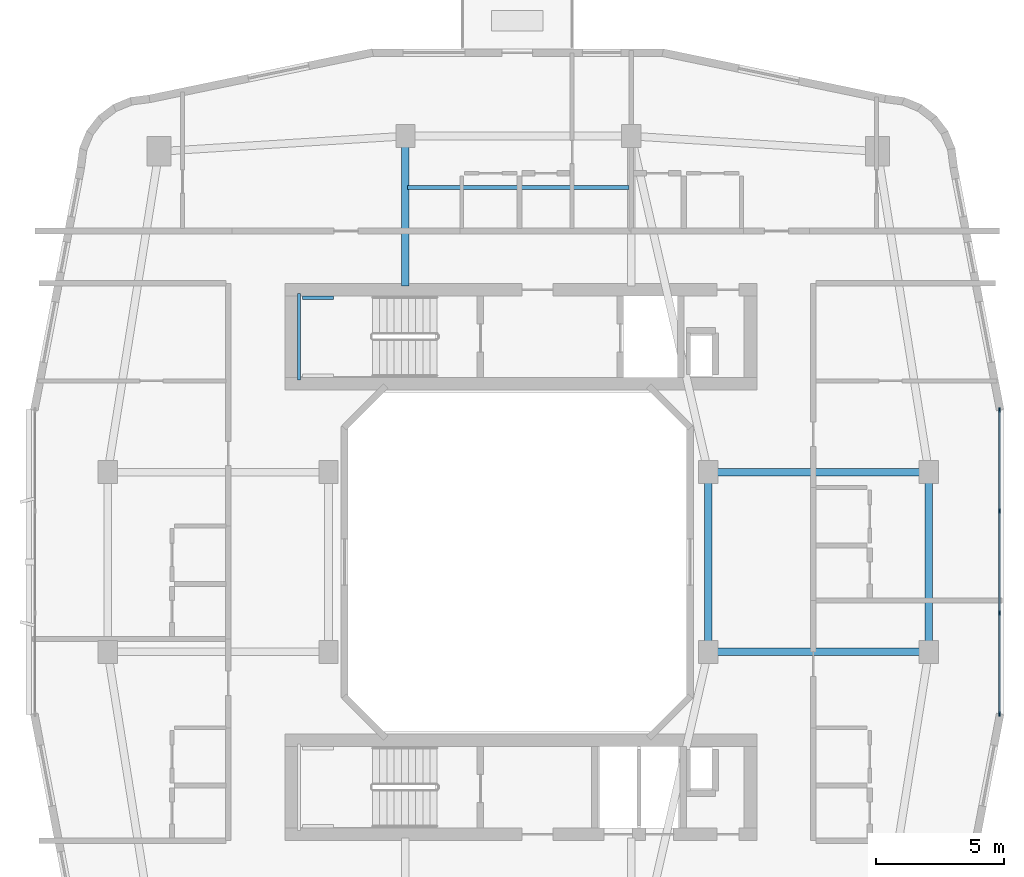
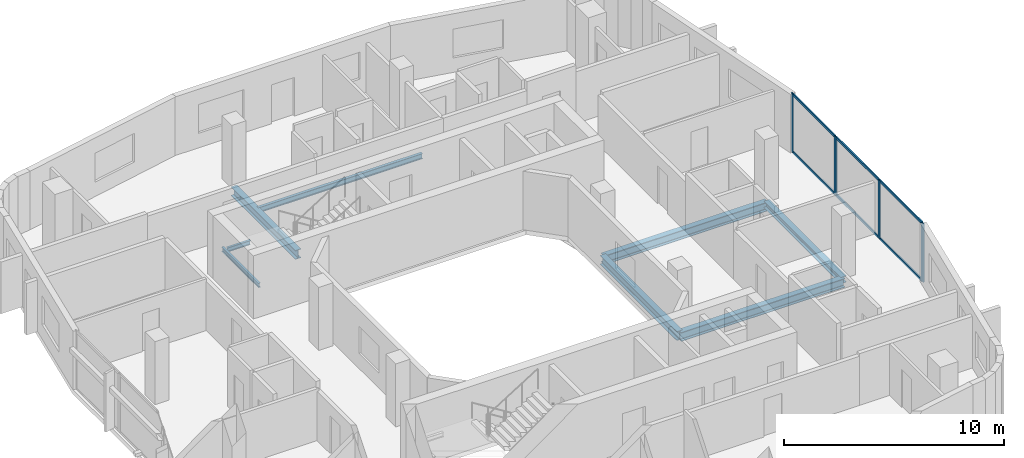
# One storey, part 6 of 22: 10 members, 8 beams, 1 element without a shape of its own.
"""IFC4 building model written with IfcOpenShell, lengths in metres."""

from ifc_helpers import new_model, si_unit, derived_unit, direction, frame, origin, origin_2d, place, context, subcontext, project, spatial, rectangle, i_section, extrude, material, layer, layer_set, material_profile, profile_set, type_object, element, aggregate, save


model = new_model("IFC4")

# Units and contexts
model_context = context("Model", 3, precision=1e-05, world=origin(), true_north=direction((0.0, 1.0)))
body_context = subcontext(model_context, "Body", "Model", "MODEL_VIEW")
ifc_project = project(units=[si_unit("LENGTHUNIT", "METRE"), si_unit("AREAUNIT", "SQUARE_METRE"), si_unit("VOLUMEUNIT", "CUBIC_METRE"), si_unit("PLANEANGLEUNIT", "RADIAN"), si_unit("MASSUNIT", "GRAM", prefix="KILO"), derived_unit("THERMALTRANSMITTANCEUNIT", [(si_unit("POWERUNIT", "WATT"), 1), (si_unit("LENGTHUNIT", "METRE"), -2), (si_unit("THERMODYNAMICTEMPERATUREUNIT", "KELVIN"), -1)])], contexts=[model_context])

# Site, building, storey
site_placement = place(None, origin())
site = spatial("IfcSite", under=ifc_project, at=site_placement, CompositionType="ELEMENT")
building_placement = place(site_placement, origin())
building = spatial("IfcBuilding", under=site, at=building_placement, Name="Kivonza Crest Hotel", CompositionType="ELEMENT")
storey_placement = place(building_placement, frame((0.0, 0.0, 69.5)))
storey = spatial("IfcBuildingStorey", under=building, at=storey_placement, Name="L18", CompositionType="ELEMENT", Elevation=69.5)

# Beams
ifc_material_1 = material(Name="Steel S355", Category="steel")
ifc_material_profile_1 = material_profile(ifc_material_1, i_section(OverallWidth=0.300048828125, OverallDepth=0.360107421875, WebThickness=0.012451171875, FlangeThickness=0.0224609375, FilletRadius=0.027099609375, at=origin_2d()), Name="HEB 360")
ifc_profile_set_1 = profile_set([ifc_material_profile_1], Name="Steel S355")
beam_type_1 = type_object("IfcBeamType", Name="BM-HEB360", PredefinedType="SPANDREL", material=ifc_profile_set_1)
beam_1_placement = place(storey_placement, frame((93.0, 21.5, -0.429931640625), z_axis=(0.0, 1.0, 0.0), x_axis=(-1.0, 0.0, 0.0)))
element("IfcBeam", 1, at=beam_1_placement, inside=storey, type_object=beam_type_1, Name="Companion Tower T2 L18 perimeter spandrel E1-E2", PredefinedType="SPANDREL", context=body_context, shape_type="SweptSolid", body=[
    extrude(i_section(OverallWidth=0.300048828125, OverallDepth=0.360107421875, WebThickness=0.012451171875, FlangeThickness=0.0224609375, FilletRadius=0.027099609375, at=origin_2d()), origin(), (0.0, 0.0, 1.0), 7.0),
])
ifc_material_profile_2 = material_profile(ifc_material_1, i_section(OverallWidth=0.300048828125, OverallDepth=0.5, WebThickness=0.014404296875, FlangeThickness=0.028076171875, FilletRadius=0.027099609375, at=origin_2d()), Name="HEB 500")
ifc_profile_set_2 = profile_set([ifc_material_profile_2], Name="Steel S355")
beam_type_2 = type_object("IfcBeamType", Name="BM-HEB500", PredefinedType="BEAM", material=ifc_profile_set_2)
for number, where, z_axis, x_axis, name in (
    (2, (84.39990234375, 21.5, -0.5), (1.0, 0.0, 0.0), (0.0, 1.0, 0.0), "Companion Tower T2 L18 girder WR1-E1"),
    (3, (84.39990234375, 28.5, -0.5), (1.0, 0.0, 0.0), (0.0, 1.0, 0.0), "Companion Tower T2 L18 girder WR2-E2"),
):
    element("IfcBeam", number, at=place(storey_placement, frame(where, z_axis=z_axis, x_axis=x_axis)), inside=storey, type_object=beam_type_2, Name=name, PredefinedType="BEAM", context=body_context, shape_type="SweptSolid", body=[
        extrude(i_section(OverallWidth=0.300048828125, OverallDepth=0.5, WebThickness=0.014404296875, FlangeThickness=0.028076171875, FilletRadius=0.027099609375, at=origin_2d()), origin(), (0.0, 0.0, 1.0), 8.60009765625),
    ])
beam_2_placement = place(storey_placement, frame((84.39990234375, 21.5, -0.5), z_axis=(0.0, 1.0, 0.0), x_axis=(-1.0, 0.0, 0.0)))
element("IfcBeam", 4, at=beam_2_placement, inside=storey, type_object=beam_type_2, Name="Companion Tower T2 L18 girder WR1-WR2", PredefinedType="BEAM", context=body_context, shape_type="SweptSolid", body=[
    extrude(i_section(OverallWidth=0.300048828125, OverallDepth=0.5, WebThickness=0.014404296875, FlangeThickness=0.028076171875, FilletRadius=0.027099609375, at=origin_2d()), origin(), (0.0, 0.0, 1.0), 7.0),
])
beam_3_placement = place(storey_placement, frame((72.60009765625, 41.60009765625, -0.5), z_axis=(0.0, -1.0, 0.0), x_axis=(1.0, 0.0, 0.0)))
element("IfcBeam", 5, at=beam_3_placement, inside=storey, type_object=beam_type_2, Name="Companion T2 L18 radial core girder RN1", PredefinedType="BEAM", context=body_context, shape_type="SweptSolid", body=[
    extrude(i_section(OverallWidth=0.300048828125, OverallDepth=0.5, WebThickness=0.014404296875, FlangeThickness=0.028076171875, FilletRadius=0.027099609375, at=origin_2d()), origin(), (0.0, 0.0, 1.0), 5.85009765625),
])
ifc_material_profile_3 = material_profile(ifc_material_1, i_section(OverallWidth=0.14990234375, OverallDepth=0.300048828125, WebThickness=0.007080078125, FlangeThickness=0.0107421875, FilletRadius=0.014892578125, at=origin_2d()), Name="IPE 300")
ifc_profile_set_3 = profile_set([ifc_material_profile_3], Name="Steel S355")
beam_type_3 = type_object("IfcBeamType", Name="BM-IPE300", PredefinedType="JOIST", material=ifc_profile_set_3)
beam_4_placement = place(storey_placement, frame((72.679931640625, 39.60009765625, -0.39990234375), z_axis=(1.0, 0.0, 0.0), x_axis=(0.0, 1.0, 0.0)))
element("IfcBeam", 6, at=beam_4_placement, inside=storey, type_object=beam_type_3, Name="Companion Tower T2 L18 North floor joist", PredefinedType="JOIST", context=body_context, shape_type="SweptSolid", body=[
    extrude(i_section(OverallWidth=0.14990234375, OverallDepth=0.300048828125, WebThickness=0.007080078125, FlangeThickness=0.0107421875, FilletRadius=0.014892578125, at=origin_2d()), origin(), (0.0, 0.0, 1.0), 8.64013671875),
])
ifc_material_profile_4 = material_profile(ifc_material_1, i_section(OverallWidth=0.1201171875, OverallDepth=0.239990234375, WebThickness=0.006103515625, FlangeThickness=0.009765625, FilletRadius=0.014892578125, at=origin_2d()), Name="IPE 240")
ifc_profile_set_4 = profile_set([ifc_material_profile_4], Name="Steel S355")
beam_type_4 = type_object("IfcBeamType", Name="BM-LLDG-240", PredefinedType="BEAM", material=ifc_profile_set_4)
beam_5_placement = place(storey_placement, frame((68.4599609375, 32.10009765625, 1.429931640625), z_axis=(0.0, 1.0, 0.0), x_axis=(-1.0, 0.0, 0.0)))
element("IfcBeam", 7, at=beam_5_placement, inside=storey, type_object=beam_type_4, Name="Stair ST-T2-N L18 West landing corbel", PredefinedType="BEAM", context=body_context, shape_type="SweptSolid", body=[
    extrude(i_section(OverallWidth=0.1201171875, OverallDepth=0.239990234375, WebThickness=0.006103515625, FlangeThickness=0.009765625, FilletRadius=0.014892578125, at=origin_2d()), origin(), (0.0, 0.0, 1.0), 3.35986328125),
])
beam_6_placement = place(storey_placement, frame((68.590087890625, 35.300048828125, 1.429931640625), z_axis=(1.0, 0.0, 0.0), x_axis=(0.0, 1.0, 0.0)))
element("IfcBeam", 8, at=beam_6_placement, inside=storey, type_object=beam_type_4, Name="Stair ST-T2-N L18 North landing corbel", PredefinedType="BEAM", context=body_context, shape_type="SweptSolid", body=[
    extrude(i_section(OverallWidth=0.1201171875, OverallDepth=0.239990234375, WebThickness=0.006103515625, FlangeThickness=0.009765625, FilletRadius=0.014892578125, at=origin_2d()), origin(), (0.0, 0.0, 1.0), 1.2099609375),
])

# Curtain wall, members
ifc_material_2 = material(Name="Anodised bronze aluminium and low-E double glazing", Category="aluminium")
ifc_layer = layer(ifc_material_2, 0.179931640625)
ifc_layer_set = layer_set([ifc_layer], Name="Anodised bronze aluminium and low-E double glazing")
curtain_wall_type = type_object("IfcCurtainWallType", Name="CW-SYS-4", PredefinedType="NOTDEFINED", material=ifc_layer_set)
curtain_wall_placement = place(storey_placement, origin())
curtain_wall = element("IfcCurtainWall", 9, at=curtain_wall_placement, inside=storey, type_object=curtain_wall_type, Name="L18 unitised curtain wall CW-T2-L18-17", PredefinedType="NOTDEFINED")
ifc_material_3 = material(Name="Anodised bronze aluminium", Category="aluminium")
ifc_material_profile_5 = material_profile(ifc_material_3, rectangle(XDim=0.06494140625, YDim=0.179931640625, at=origin_2d()), Name="CW-M 65x180")
ifc_profile_set_5 = profile_set([ifc_material_profile_5], Name="Anodised bronze aluminium")
member_type_1 = type_object("IfcMemberType", Name="CW-MUL-65x180", PredefinedType="MULLION", material=ifc_profile_set_5)
member_1_placement = place(storey_placement, frame((95.760009765625, 19.072509765625, 0.0), z_axis=(0.0, 0.0, 1.0), x_axis=(-1.0, 0.0, 0.0)))
member_1 = element("IfcMember", 10, at=member_1_placement, type_object=member_type_1, Name="CW-4 mullion 1", PredefinedType="MULLION", context=body_context, shape_type="SweptSolid", body=[
    extrude(rectangle(XDim=0.06494140625, YDim=0.179931640625, at=origin_2d()), origin(), (0.0, 0.0, 1.0), 3.25),
])
member_2_placement = place(storey_placement, frame((95.760009765625, 23.013427734375, 0.0), z_axis=(0.0, 0.0, 1.0), x_axis=(-1.0, 0.0, 0.0)))
member_2 = element("IfcMember", 11, at=member_2_placement, type_object=member_type_1, Name="CW-4 mullion 2", PredefinedType="MULLION", context=body_context, shape_type="SweptSolid", body=[
    extrude(rectangle(XDim=0.06494140625, YDim=0.179931640625, at=origin_2d()), origin(), (0.0, 0.0, 1.0), 3.25),
])
member_3_placement = place(storey_placement, frame((95.760009765625, 26.986572265625, 0.0), z_axis=(0.0, 0.0, 1.0), x_axis=(-1.0, 0.0, 0.0)))
member_3 = element("IfcMember", 12, at=member_3_placement, type_object=member_type_1, Name="CW-4 mullion 3", PredefinedType="MULLION", context=body_context, shape_type="SweptSolid", body=[
    extrude(rectangle(XDim=0.06494140625, YDim=0.179931640625, at=origin_2d()), origin(), (0.0, 0.0, 1.0), 3.25),
])
member_4_placement = place(storey_placement, frame((95.760009765625, 30.927490234375, 0.0), z_axis=(0.0, 0.0, 1.0), x_axis=(-1.0, 0.0, 0.0)))
member_4 = element("IfcMember", 13, at=member_4_placement, type_object=member_type_1, Name="CW-4 mullion 4", PredefinedType="MULLION", context=body_context, shape_type="SweptSolid", body=[
    extrude(rectangle(XDim=0.06494140625, YDim=0.179931640625, at=origin_2d()), origin(), (0.0, 0.0, 1.0), 3.25),
])
ifc_material_profile_6 = material_profile(ifc_material_3, rectangle(XDim=0.06494140625, YDim=0.139892578125, at=origin_2d()), Name="CW-T 65x140")
ifc_profile_set_6 = profile_set([ifc_material_profile_6], Name="Anodised bronze aluminium")
member_type_2 = type_object("IfcMemberType", Name="CW-TRN-65x140", PredefinedType="USERDEFINED", material=ifc_profile_set_6)
member_5_placement = place(storey_placement, frame((95.760009765625, 19.10498046875, 0.032470703125), z_axis=(0.0, 1.0, 0.0), x_axis=(-1.0, 0.0, 0.0)))
member_5 = element("IfcMember", 14, at=member_5_placement, type_object=member_type_2, Name="CW-4 transom 1.1", ObjectType="TRANSOM", PredefinedType="USERDEFINED", context=body_context, shape_type="SweptSolid", body=[
    extrude(rectangle(XDim=0.06494140625, YDim=0.139892578125, at=origin_2d()), origin(), (0.0, 0.0, 1.0), 3.875732421875),
])
member_6_placement = place(storey_placement, frame((95.760009765625, 19.10498046875, 3.217529296875), z_axis=(0.0, 1.0, 0.0), x_axis=(-1.0, 0.0, 0.0)))
member_6 = element("IfcMember", 15, at=member_6_placement, type_object=member_type_2, Name="CW-4 transom 1.2", ObjectType="TRANSOM", PredefinedType="USERDEFINED", context=body_context, shape_type="SweptSolid", body=[
    extrude(rectangle(XDim=0.06494140625, YDim=0.139892578125, at=origin_2d()), origin(), (0.0, 0.0, 1.0), 3.875732421875),
])
member_7_placement = place(storey_placement, frame((95.760009765625, 23.0458984375, 0.032470703125), z_axis=(0.0, 1.0, 0.0), x_axis=(-1.0, 0.0, 0.0)))
member_7 = element("IfcMember", 16, at=member_7_placement, type_object=member_type_2, Name="CW-4 transom 2.1", ObjectType="TRANSOM", PredefinedType="USERDEFINED", context=body_context, shape_type="SweptSolid", body=[
    extrude(rectangle(XDim=0.06494140625, YDim=0.139892578125, at=origin_2d()), origin(), (0.0, 0.0, 1.0), 3.908203125),
])
member_8_placement = place(storey_placement, frame((95.760009765625, 23.0458984375, 3.217529296875), z_axis=(0.0, 1.0, 0.0), x_axis=(-1.0, 0.0, 0.0)))
member_8 = element("IfcMember", 17, at=member_8_placement, type_object=member_type_2, Name="CW-4 transom 2.2", ObjectType="TRANSOM", PredefinedType="USERDEFINED", context=body_context, shape_type="SweptSolid", body=[
    extrude(rectangle(XDim=0.06494140625, YDim=0.139892578125, at=origin_2d()), origin(), (0.0, 0.0, 1.0), 3.908203125),
])
member_9_placement = place(storey_placement, frame((95.760009765625, 27.019287109375, 0.032470703125), z_axis=(0.0, 1.0, 0.0), x_axis=(-1.0, 0.0, 0.0)))
member_9 = element("IfcMember", 18, at=member_9_placement, type_object=member_type_2, Name="CW-4 transom 3.1", ObjectType="TRANSOM", PredefinedType="USERDEFINED", context=body_context, shape_type="SweptSolid", body=[
    extrude(rectangle(XDim=0.06494140625, YDim=0.139892578125, at=origin_2d()), origin(), (0.0, 0.0, 1.0), 3.875732421875),
])
member_10_placement = place(storey_placement, frame((95.760009765625, 27.019287109375, 3.217529296875), z_axis=(0.0, 1.0, 0.0), x_axis=(-1.0, 0.0, 0.0)))
member_10 = element("IfcMember", 19, at=member_10_placement, type_object=member_type_2, Name="CW-4 transom 3.2", ObjectType="TRANSOM", PredefinedType="USERDEFINED", context=body_context, shape_type="SweptSolid", body=[
    extrude(rectangle(XDim=0.06494140625, YDim=0.139892578125, at=origin_2d()), origin(), (0.0, 0.0, 1.0), 3.875732421875),
])
aggregate(curtain_wall, [member_1, member_2, member_3, member_4, member_5, member_6, member_7, member_8, member_9, member_10])

save(model, "model.ifc")
